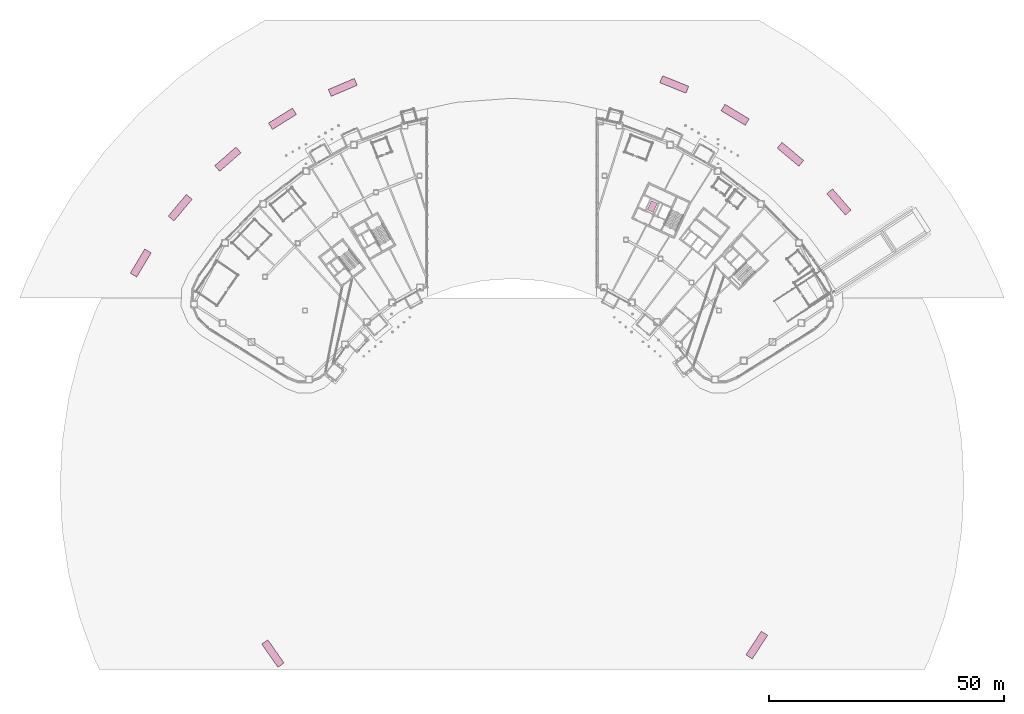
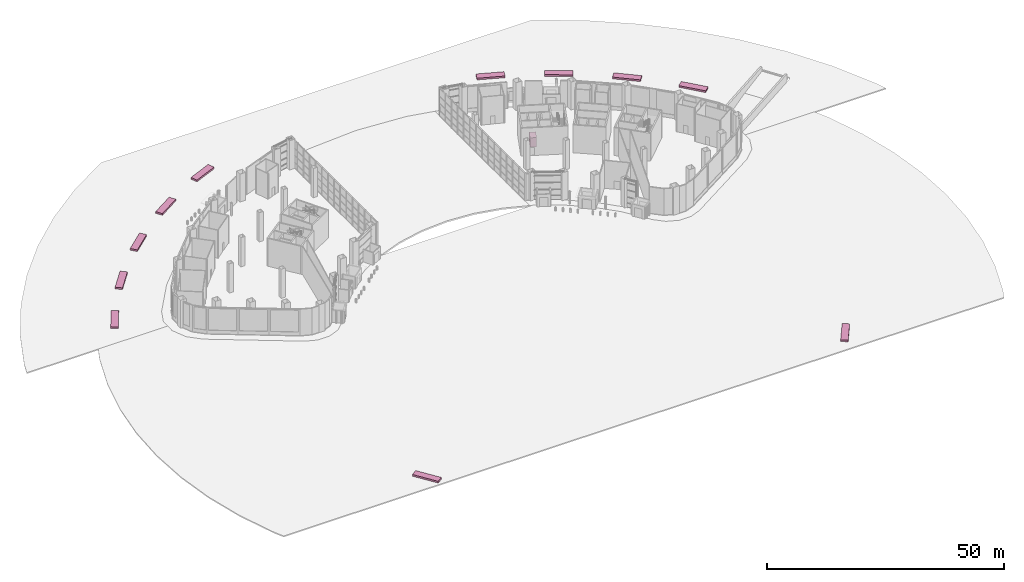
# One storey, part 42 of 45: 11 furnishings, 1 transport element.
"""IFC4 building model written with IfcOpenShell, lengths in metres."""

from ifc_helpers import new_model, si_unit, direction, frame, origin, origin_2d, place, context, subcontext, project, spatial, rectangle, extrude, material, type_object, element, save


model = new_model("IFC4")

# Units and contexts
model_context = context("Model", 3, precision=1e-05, world=origin(), true_north=direction((0.0, 1.0)))
body_context = subcontext(model_context, "Body", "Model", "MODEL_VIEW")
ifc_project = project(units=[si_unit("LENGTHUNIT", "METRE"), si_unit("AREAUNIT", "SQUARE_METRE"), si_unit("VOLUMEUNIT", "CUBIC_METRE"), si_unit("PLANEANGLEUNIT", "RADIAN"), si_unit("MASSUNIT", "GRAM", prefix="KILO")], contexts=[model_context])

# Site, building, storey
site_placement = place(None, origin())
site = spatial("IfcSite", under=ifc_project, at=site_placement, CompositionType="ELEMENT")
building_placement = place(site_placement, origin())
building = spatial("IfcBuilding", under=site, at=building_placement, Name="Tuul Gate Civic Tower", CompositionType="ELEMENT")
storey_placement = place(building_placement, origin())
storey = spatial("IfcBuildingStorey", under=building, at=storey_placement, Name="Level 00", CompositionType="ELEMENT", Elevation=0.0)

# Transport element
ifc_material_1 = material(Name="Stainless steel", Category="steel")
transport_element_type = type_object("IfcTransportElementType", Name="Lift car", PredefinedType="ELEVATOR", material=ifc_material_1)
transport_element_placement = place(storey_placement, frame((29.817138671875, -0.612060546875, 0.0), z_axis=(0.0, 0.0, 1.0), x_axis=(-0.906313687812, 0.422605607256, 0.0)))
element("IfcTransportElement", 1, at=transport_element_placement, inside=storey, type_object=transport_element_type, Name="Observation express lift X1", PredefinedType="ELEVATOR", context=body_context, shape_type="SweptSolid", body=[
    extrude(rectangle(XDim=1.39990234375, YDim=2.14990234375, at=origin_2d()), origin(), (0.0, 0.0, 1.0), 2.39990234375),
])

# Furnishings
ifc_material_2 = material(Name="Planting soil")
furnishing_element_type = type_object("IfcFurnishingElementType", Name="Planting bed", material=ifc_material_2)
for number, where, z_axis, x_axis, name in (
    (2, (-50.787353515625, -95.561767578125, 0.0), (0.0, 0.0, 1.0), (0.573576436351, -0.819152044289, 0.0), "Planter"),
    (3, (51.99755859375, -93.767578125, 0.0), (0.0, 0.0, 1.0), (0.544639035015, 0.838670567945, 0.0), "Planter"),
    (4, (69.433349609375, 0.357421875, 0.0), (0.0, 0.0, 1.0), (-0.656059028991, 0.754709580223, 0.0), "Planter"),
    (5, (59.136474609375, 10.47607421875, 0.0), (0.0, 0.0, 1.0), (-0.766044443119, 0.642787609687, 0.0), "Planter"),
    (6, (47.383544921875, 18.859375, 0.0), (0.0, 0.0, 1.0), (-0.857167300702, 0.51503807491, 0.0), "Planter"),
    (7, (34.4638671875, 25.301025390625, 0.0), (0.0, 0.0, 1.0), (-0.927183854567, 0.374606593416, 0.0), "Planter"),
    (8, (-35.947265625, 24.6865234375, 0.0), (0.0, 0.0, 1.0), (-0.920504853452, -0.390731128489, 0.0), "Planter"),
    (9, (-48.752685546875, 18.0205078125, 0.0), (0.0, 0.0, 1.0), (-0.848048096156, -0.529919264233, 0.0), "Planter"),
    (10, (-60.357421875, 9.433349609375, 0.0), (0.0, 0.0, 1.0), (-0.754709580223, -0.656059028991, 0.0), "Planter"),
    (11, (-70.47607421875, -0.863525390625, 0.0), (0.0, 0.0, 1.0), (-0.642787609687, -0.766044443119, 0.0), "Planter"),
    (12, (-78.859375, -12.616455078125, 0.0), (0.0, 0.0, 1.0), (-0.51503807491, -0.857167300702, 0.0), "Planter"),
):
    element("IfcFurnishingElement", number, at=place(storey_placement, frame(where, z_axis=z_axis, x_axis=x_axis)), inside=storey, type_object=furnishing_element_type, Name=name, context=body_context, shape_type="SweptSolid", body=[
        extrude(rectangle(XDim=6.0, YDim=1.60009765625, at=origin_2d()), origin(), (0.0, 0.0, 1.0), 0.449951171875),
    ])

save(model, "model.ifc")
